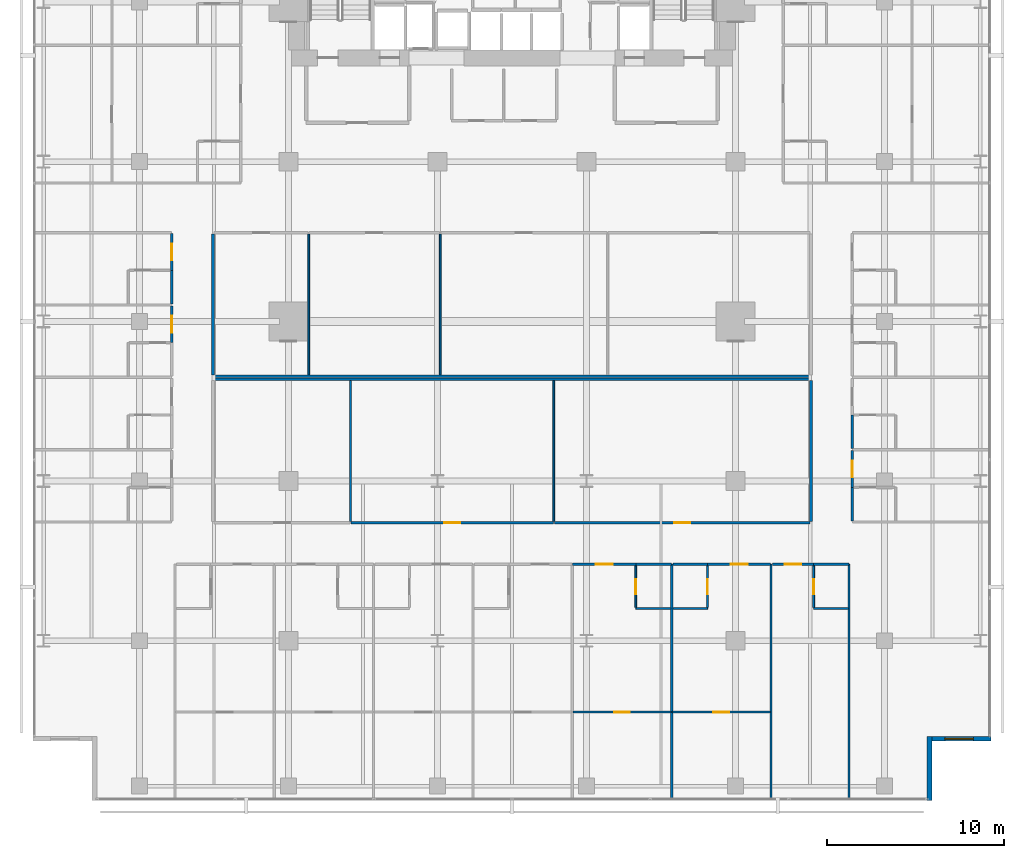
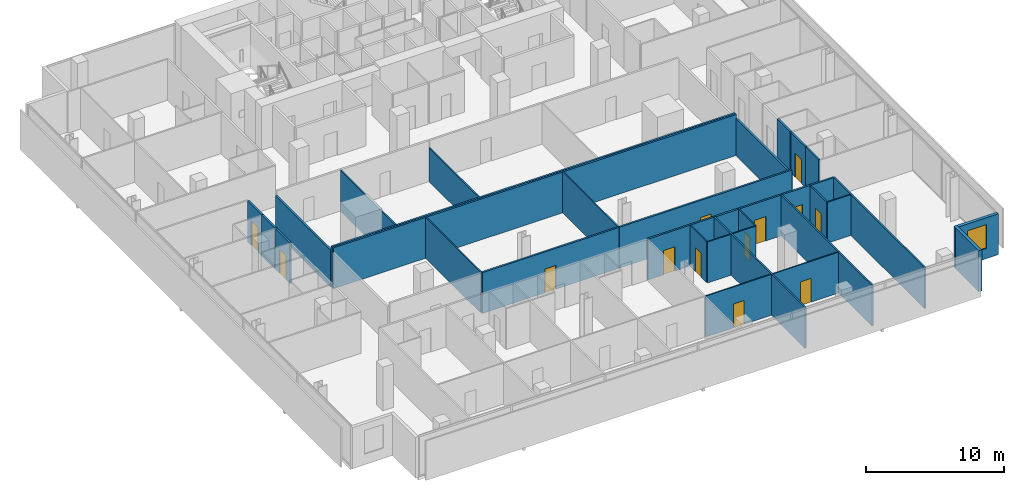
# One storey, part 34 of 41: 35 walls, 13 doors, 1 window, 14 openings.
"""IFC4 building model written with IfcOpenShell, lengths in metres."""

from ifc_helpers import new_model, si_unit, direction, frame, frame_2d, origin, place, context, subcontext, project, spatial, rectangle, extrude, material, layer, layer_set, type_object, element, fill, save


model = new_model("IFC4")

# Units and contexts
model_context = context("Model", 3, precision=1e-05, world=origin(), true_north=direction((0.0, 1.0)))
body_context = subcontext(model_context, "Body", "Model", "MODEL_VIEW")
ifc_project = project(units=[si_unit("LENGTHUNIT", "METRE"), si_unit("AREAUNIT", "SQUARE_METRE"), si_unit("VOLUMEUNIT", "CUBIC_METRE"), si_unit("PLANEANGLEUNIT", "RADIAN"), si_unit("MASSUNIT", "GRAM", prefix="KILO")], contexts=[model_context])

# Site, building, storey
site_placement = place(None, origin())
site = spatial("IfcSite", under=ifc_project, at=site_placement, CompositionType="ELEMENT")
building_placement = place(site_placement, origin())
building = spatial("IfcBuilding", under=site, at=building_placement, Name="Maruvema Waterfront Hotel and Observation Tower", CompositionType="ELEMENT")
storey_placement = place(building_placement, frame((0.0, 0.0, 61.60009765625)))
storey = spatial("IfcBuildingStorey", under=building, at=storey_placement, Name="L14", CompositionType="ELEMENT", Elevation=61.60009765625)

# Walls
ifc_material_1 = material(Name="Twin-stud acoustic gypsum drywall", Category="gypsum")
ifc_layer_1 = layer(ifc_material_1, 0.14990234375, Name="Acoustic Corridor and Suite Demising Wall 150 mm")
ifc_layer_set_1 = layer_set([ifc_layer_1], Name="Twin-stud acoustic gypsum drywall")
wall_type_1 = type_object("IfcWallType", Name="Acoustic Corridor and Suite Demising Wall 150 mm", PredefinedType="PARTITIONING", material=ifc_layer_set_1)
wall_1_placement = place(storey_placement, frame((20.949951171875, 23.89990234375, 0.0), z_axis=(0.0, 0.0, 1.0), x_axis=(1.0, 0.0, 0.0)))
element("IfcWall", 1, at=wall_1_placement, inside=storey, type_object=wall_type_1, Name="L14 L14-INTN Back Wall 022", PredefinedType="PARTITIONING", context=body_context, shape_type="SweptSolid", body=[
    extrude(rectangle(XDim=33.699951171875, YDim=0.14990234375, at=frame_2d((16.85009765625, 0.0))), origin(), (0.0, 0.0, 1.0), 3.60986328125),
])
wall_2_placement = place(storey_placement, frame((20.949951171875, 23.97998046875, 0.0), z_axis=(0.0, 0.0, 1.0), x_axis=(0.0, 1.0, 0.0)))
element("IfcWall", 2, at=wall_2_placement, inside=storey, type_object=wall_type_1, Name="L14 L14-INTN West Wall 023", PredefinedType="PARTITIONING", context=body_context, shape_type="SweptSolid", body=[
    extrude(rectangle(XDim=7.93994140625, YDim=0.14990234375, at=frame_2d((3.969970703125, 0.0))), origin(), (0.0, 0.0, 1.0), 3.2548828125),
])
wall_3_placement = place(storey_placement, frame((20.949951171875, 23.739990234375, 0.0), z_axis=(0.0, 0.0, 1.0), x_axis=(1.0, 0.0, 0.0)))
element("IfcWall", 3, at=wall_3_placement, inside=storey, type_object=wall_type_1, Name="L14 L14-INTS Back Wall 032", PredefinedType="PARTITIONING", context=body_context, shape_type="SweptSolid", body=[
    extrude(rectangle(XDim=33.699951171875, YDim=0.14990234375, at=frame_2d((16.85009765625, 0.0))), origin(), (0.0, 0.0, 1.0), 3.60986328125),
])
wall_4_placement = place(storey_placement, frame((54.64990234375, 15.72998046875, 0.0), z_axis=(0.0, 0.0, 1.0), x_axis=(0.0, 1.0, 0.0)))
element("IfcWall", 4, at=wall_4_placement, inside=storey, type_object=wall_type_1, Name="L14 L14-INTS East Wall 034", PredefinedType="PARTITIONING", context=body_context, shape_type="SweptSolid", body=[
    extrude(rectangle(XDim=7.929931640625, YDim=0.14990234375, at=frame_2d((3.96484375, 0.0))), origin(), (0.0, 0.0, 1.0), 3.2548828125),
])

# Wall, opening, door
wall_5_placement = place(storey_placement, frame((28.73095703125, 15.64990234375, 0.0), z_axis=(0.0, 0.0, 1.0), x_axis=(1.0, 0.0, 0.0)))
wall_5 = element("IfcWall", 5, at=wall_5_placement, inside=storey, type_object=wall_type_1, Name="L14 L14-INTS Front 2 037", PredefinedType="PARTITIONING", context=body_context, shape_type="SweptSolid", body=[
    extrude(rectangle(XDim=11.39794921875, YDim=0.14990234375, at=frame_2d((5.698974609375, 0.0))), origin(), (0.0, 0.0, 1.0), 3.60986328125),
])
opening_1_placement = place(wall_5_placement, frame((5.2490234375, 0.0, 0.0)))
opening_1 = element("IfcOpeningElement", 6, at=opening_1_placement, cuts=wall_5, Name="Opening DR-090", PredefinedType="OPENING", context=body_context, shape_type="SweptSolid", body=[
    extrude(rectangle(XDim=0.89990234375, YDim=2.10009765625, at=frame_2d((0.449951171875, 1.050048828125))), frame((0.0, 0.0849609375, 0.0), z_axis=(0.0, -1.0, 0.0), x_axis=(1.0, 0.0, 0.0)), (0.0, 0.0, 1.0), 0.169921875),
])
ifc_material_2 = material(Name="Solid-core lacquered timber leaf", Category="wood")
door_type_1 = type_object("IfcDoorType", Name="Accessible Toilet and Room Door 900x2100 mm", OperationType="NOTDEFINED", PredefinedType="DOOR", material=ifc_material_2)
door_1_placement = place(opening_1_placement, frame((0.89990234375, 0.0, 0.0), z_axis=(0.0, 0.0, 1.0), x_axis=(-1.0, 0.0, 0.0)))
door_1 = element("IfcDoor", 7, at=door_1_placement, inside=storey, type_object=door_type_1, Name="L14 Housekeeping Linen Room Door", OperationType="SINGLE_SWING_LEFT", OverallHeight=2.10009765625, OverallWidth=0.89990234375, PredefinedType="DOOR", context=body_context, shape_type="SweptSolid", body=[
    extrude(rectangle(XDim=0.89990234375, YDim=2.10009765625, at=frame_2d((0.449951171875, 1.050048828125))), frame((0.0, 0.02490234375, 0.0), z_axis=(0.0, -1.0, 0.0), x_axis=(1.0, 0.0, 0.0)), (0.0, 0.0, 1.0), 0.050048828125),
])
fill(opening_1, door_1)

wall_6_placement = place(storey_placement, frame((40.18896484375, 15.64990234375, 0.0), z_axis=(0.0, 0.0, 1.0), x_axis=(1.0, 0.0, 0.0)))
wall_6 = element("IfcWall", 8, at=wall_6_placement, inside=storey, type_object=wall_type_1, Name="L14 L14-INTS Front 3 039", PredefinedType="PARTITIONING", context=body_context, shape_type="SweptSolid", body=[
    extrude(rectangle(XDim=14.401123046875, YDim=0.14990234375, at=frame_2d((7.20068359375, 0.0))), origin(), (0.0, 0.0, 1.0), 3.60986328125),
])
opening_2_placement = place(wall_6_placement, frame((6.75048828125, 0.0, 0.0)))
opening_2 = element("IfcOpeningElement", 9, at=opening_2_placement, cuts=wall_6, Name="Opening DR-090", PredefinedType="OPENING", context=body_context, shape_type="SweptSolid", body=[
    extrude(rectangle(XDim=0.89990234375, YDim=2.10009765625, at=frame_2d((0.449951171875, 1.050048828125))), frame((0.0, 0.0849609375, 0.0), z_axis=(0.0, -1.0, 0.0), x_axis=(1.0, 0.0, 0.0)), (0.0, 0.0, 1.0), 0.169921875),
])
door_2_placement = place(opening_2_placement, frame((0.89990234375, 0.0, 0.0), z_axis=(0.0, 0.0, 1.0), x_axis=(-1.0, 0.0, 0.0)))
door_2 = element("IfcDoor", 10, at=door_2_placement, inside=storey, type_object=door_type_1, Name="L14 Concierge Salon Door", OperationType="SINGLE_SWING_RIGHT", OverallHeight=2.10009765625, OverallWidth=0.89990234375, PredefinedType="DOOR", context=body_context, shape_type="SweptSolid", body=[
    extrude(rectangle(XDim=0.89990234375, YDim=2.10009765625, at=frame_2d((0.449951171875, 1.050048828125))), frame((0.0, 0.02490234375, 0.0), z_axis=(0.0, -1.0, 0.0), x_axis=(1.0, 0.0, 0.0)), (0.0, 0.0, 1.0), 0.050048828125),
])
fill(opening_2, door_2)

# Wall
wall_7_placement = place(storey_placement, frame((44.780029296875, 13.320068359375, 0.0), z_axis=(0.0, 0.0, 1.0), x_axis=(1.0, 0.0, 0.0)))
element("IfcWall", 11, at=wall_7_placement, inside=storey, type_object=wall_type_1, Name="L14 Bath L14-S5 Back Wall 066", PredefinedType="PARTITIONING", context=body_context, shape_type="SweptSolid", body=[
    extrude(rectangle(XDim=2.0, YDim=0.14990234375, at=frame_2d((1.0, 0.0))), origin(), (0.0, 0.0, 1.0), 3.60986328125),
])

# Wall, opening, door
wall_8_placement = place(storey_placement, frame((41.219970703125, 13.320068359375, 0.0), z_axis=(0.0, 0.0, 1.0), x_axis=(1.0, 0.0, 0.0)))
wall_8 = element("IfcWall", 12, at=wall_8_placement, inside=storey, type_object=wall_type_1, Name="L14 Unit L14-S5 Corridor Wall 069", PredefinedType="PARTITIONING", context=body_context, shape_type="SweptSolid", body=[
    extrude(rectangle(XDim=3.56005859375, YDim=0.14990234375, at=frame_2d((1.780029296875, 0.0))), origin(), (0.0, 0.0, 1.0), 3.60986328125),
])
opening_3_placement = place(wall_8_placement, frame((1.304931640625, 0.0, 0.0)))
opening_3 = element("IfcOpeningElement", 13, at=opening_3_placement, cuts=wall_8, Name="Opening DR-095", PredefinedType="OPENING", context=body_context, shape_type="SweptSolid", body=[
    extrude(rectangle(XDim=0.949951171875, YDim=2.14990234375, at=frame_2d((0.47509765625, 1.074951171875))), frame((0.0, 0.0849609375, 0.0), z_axis=(0.0, -1.0, 0.0), x_axis=(1.0, 0.0, 0.0)), (0.0, 0.0, 1.0), 0.169921875),
])
ifc_material_3 = material(Name="Acoustic solid-core hardwood timber leaf", Category="wood")
door_type_2 = type_object("IfcDoorType", Name="Guestroom Entrance Fire Door 950x2150 mm", OperationType="NOTDEFINED", PredefinedType="DOOR", material=ifc_material_3)
door_3_placement = place(opening_3_placement, frame((0.949951171875, 0.0, 0.0), z_axis=(0.0, 0.0, 1.0), x_axis=(-1.0, 0.0, 0.0)))
door_3 = element("IfcDoor", 14, at=door_3_placement, inside=storey, type_object=door_type_2, Name="L14 Unit L14-S5 Entrance Door", OperationType="SINGLE_SWING_RIGHT", OverallHeight=2.14990234375, OverallWidth=0.949951171875, PredefinedType="DOOR", context=body_context, shape_type="SweptSolid", body=[
    extrude(rectangle(XDim=0.949951171875, YDim=2.14990234375, at=frame_2d((0.47509765625, 1.074951171875))), frame((0.0, 0.02490234375, 0.0), z_axis=(0.0, -1.0, 0.0), x_axis=(1.0, 0.0, 0.0)), (0.0, 0.0, 1.0), 0.050048828125),
])
fill(opening_3, door_3)

# Wall
wall_9_placement = place(storey_placement, frame((46.8798828125, 13.320068359375, 0.0), z_axis=(0.0, 0.0, 1.0), x_axis=(1.0, 0.0, 0.0)))
element("IfcWall", 15, at=wall_9_placement, inside=storey, type_object=wall_type_1, Name="L14 Bath L14-S6 Back Wall 072", PredefinedType="PARTITIONING", context=body_context, shape_type="SweptSolid", body=[
    extrude(rectangle(XDim=1.940185546875, YDim=0.14990234375, at=frame_2d((0.97021484375, 0.0))), origin(), (0.0, 0.0, 1.0), 3.60986328125),
])

# Wall, opening, door
wall_10_placement = place(storey_placement, frame((48.820068359375, 13.320068359375, 0.0), z_axis=(0.0, 0.0, 1.0), x_axis=(1.0, 0.0, 0.0)))
wall_10 = element("IfcWall", 16, at=wall_10_placement, inside=storey, type_object=wall_type_1, Name="L14 Unit L14-S6 Corridor Wall 075", PredefinedType="PARTITIONING", context=body_context, shape_type="SweptSolid", body=[
    extrude(rectangle(XDim=3.559814453125, YDim=0.14990234375, at=frame_2d((1.77978515625, 0.0))), origin(), (0.0, 0.0, 1.0), 3.60986328125),
])
opening_4_placement = place(wall_10_placement, frame((1.304931640625, 0.0, 0.0)))
opening_4 = element("IfcOpeningElement", 17, at=opening_4_placement, cuts=wall_10, Name="Opening DR-095", PredefinedType="OPENING", context=body_context, shape_type="SweptSolid", body=[
    extrude(rectangle(XDim=0.949951171875, YDim=2.14990234375, at=frame_2d((0.47509765625, 1.074951171875))), frame((0.0, 0.0849609375, 0.0), z_axis=(0.0, -1.0, 0.0), x_axis=(1.0, 0.0, 0.0)), (0.0, 0.0, 1.0), 0.169921875),
])
door_4_placement = place(opening_4_placement, frame((0.949951171875, 0.0, 0.0), z_axis=(0.0, 0.0, 1.0), x_axis=(-1.0, 0.0, 0.0)))
door_4 = element("IfcDoor", 18, at=door_4_placement, inside=storey, type_object=door_type_2, Name="L14 Unit L14-S6 Entrance Door", OperationType="SINGLE_SWING_LEFT", OverallHeight=2.14990234375, OverallWidth=0.949951171875, PredefinedType="DOOR", context=body_context, shape_type="SweptSolid", body=[
    extrude(rectangle(XDim=0.949951171875, YDim=2.14990234375, at=frame_2d((0.47509765625, 1.074951171875))), frame((0.0, 0.02490234375, 0.0), z_axis=(0.0, -1.0, 0.0), x_axis=(1.0, 0.0, 0.0)), (0.0, 0.0, 1.0), 0.050048828125),
])
fill(opening_4, door_4)

# Wall
wall_11_placement = place(storey_placement, frame((54.800048828125, 13.320068359375, 0.0), z_axis=(0.0, 0.0, 1.0), x_axis=(1.0, 0.0, 0.0)))
element("IfcWall", 19, at=wall_11_placement, inside=storey, type_object=wall_type_1, Name="L14 Bath L14-S7 Back Wall 078", PredefinedType="PARTITIONING", context=body_context, shape_type="SweptSolid", body=[
    extrude(rectangle(XDim=1.97998046875, YDim=0.14990234375, at=frame_2d((0.989990234375, 0.0))), origin(), (0.0, 0.0, 1.0), 3.60986328125),
])

# Wall, opening, door
wall_12_placement = place(storey_placement, frame((52.47998046875, 13.320068359375, 0.0), z_axis=(0.0, 0.0, 1.0), x_axis=(1.0, 0.0, 0.0)))
wall_12 = element("IfcWall", 20, at=wall_12_placement, inside=storey, type_object=wall_type_1, Name="L14 Unit L14-S7 Corridor Wall 081", PredefinedType="PARTITIONING", context=body_context, shape_type="SweptSolid", body=[
    extrude(rectangle(XDim=2.320068359375, YDim=0.14990234375, at=frame_2d((1.16015625, 0.0))), origin(), (0.0, 0.0, 1.0), 3.60986328125),
])
opening_5_placement = place(wall_12_placement, frame((0.68505859375, 0.0, 0.0)))
opening_5 = element("IfcOpeningElement", 21, at=opening_5_placement, cuts=wall_12, Name="Opening DR-095", PredefinedType="OPENING", context=body_context, shape_type="SweptSolid", body=[
    extrude(rectangle(XDim=0.949951171875, YDim=2.14990234375, at=frame_2d((0.47509765625, 1.074951171875))), frame((0.0, 0.0849609375, 0.0), z_axis=(0.0, -1.0, 0.0), x_axis=(1.0, 0.0, 0.0)), (0.0, 0.0, 1.0), 0.169921875),
])
door_5_placement = place(opening_5_placement, frame((0.949951171875, 0.0, 0.0), z_axis=(0.0, 0.0, 1.0), x_axis=(-1.0, 0.0, 0.0)))
door_5 = element("IfcDoor", 22, at=door_5_placement, inside=storey, type_object=door_type_2, Name="L14 Unit L14-S7 Entrance Door", OperationType="SINGLE_SWING_RIGHT", OverallHeight=2.14990234375, OverallWidth=0.949951171875, PredefinedType="DOOR", context=body_context, shape_type="SweptSolid", body=[
    extrude(rectangle(XDim=0.949951171875, YDim=2.14990234375, at=frame_2d((0.47509765625, 1.074951171875))), frame((0.0, 0.02490234375, 0.0), z_axis=(0.0, -1.0, 0.0), x_axis=(1.0, 0.0, 0.0)), (0.0, 0.0, 1.0), 0.050048828125),
])
fill(opening_5, door_5)

# Wall
wall_13_placement = place(storey_placement, frame((56.97998046875, 15.760009765625, 0.0), z_axis=(0.0, 0.0, 1.0), x_axis=(0.0, 1.0, 0.0)))
element("IfcWall", 23, at=wall_13_placement, inside=storey, type_object=wall_type_1, Name="L14 Bath L14-E1 Wall 090", PredefinedType="PARTITIONING", context=body_context, shape_type="SweptSolid", body=[
    extrude(rectangle(XDim=1.889892578125, YDim=0.14990234375, at=frame_2d((0.94482421875, 0.0))), origin(), (0.0, 0.0, 1.0), 3.60986328125),
])

# Wall, opening, door
wall_14_placement = place(storey_placement, frame((56.97998046875, 17.64990234375, 0.0), z_axis=(0.0, 0.0, 1.0), x_axis=(0.0, 1.0, 0.0)))
wall_14 = element("IfcWall", 24, at=wall_14_placement, inside=storey, type_object=wall_type_1, Name="L14 Room L14-E1 Corridor Wall 091", PredefinedType="PARTITIONING", context=body_context, shape_type="SweptSolid", body=[
    extrude(rectangle(XDim=2.06005859375, YDim=0.14990234375, at=frame_2d((1.030029296875, 0.0))), origin(), (0.0, 0.0, 1.0), 3.60986328125),
])
opening_6_placement = place(wall_14_placement, frame((0.554931640625, 0.0, 0.0)))
opening_6 = element("IfcOpeningElement", 25, at=opening_6_placement, cuts=wall_14, Name="Opening DR-095", PredefinedType="OPENING", context=body_context, shape_type="SweptSolid", body=[
    extrude(rectangle(XDim=0.949951171875, YDim=2.14990234375, at=frame_2d((0.47509765625, 1.074951171875))), frame((0.0, 0.0849609375, 0.0), z_axis=(0.0, -1.0, 0.0), x_axis=(1.0, 0.0, 0.0)), (0.0, 0.0, 1.0), 0.169921875),
])
door_6_placement = place(opening_6_placement, frame((0.949951171875, 0.0, 0.0), z_axis=(0.0, 0.0, 1.0), x_axis=(-1.0, 0.0, 0.0)))
door_6 = element("IfcDoor", 26, at=door_6_placement, inside=storey, type_object=door_type_2, Name="L14 Room L14-E1 Entrance Door", OperationType="SINGLE_SWING_RIGHT", OverallHeight=2.14990234375, OverallWidth=0.949951171875, PredefinedType="DOOR", context=body_context, shape_type="SweptSolid", body=[
    extrude(rectangle(XDim=0.949951171875, YDim=2.14990234375, at=frame_2d((0.47509765625, 1.074951171875))), frame((0.0, 0.02490234375, 0.0), z_axis=(0.0, -1.0, 0.0), x_axis=(1.0, 0.0, 0.0)), (0.0, 0.0, 1.0), 0.050048828125),
])
fill(opening_6, door_6)

# Wall
wall_15_placement = place(storey_placement, frame((56.97998046875, 19.830078125, 0.0), z_axis=(0.0, 0.0, 1.0), x_axis=(0.0, 1.0, 0.0)))
element("IfcWall", 27, at=wall_15_placement, inside=storey, type_object=wall_type_1, Name="L14 Bath L14-E2 Wall 100", PredefinedType="PARTITIONING", context=body_context, shape_type="SweptSolid", body=[
    extrude(rectangle(XDim=1.889892578125, YDim=0.14990234375, at=frame_2d((0.94482421875, 0.0))), origin(), (0.0, 0.0, 1.0), 3.60986328125),
])

# Wall, opening, door
wall_16_placement = place(storey_placement, frame((18.6201171875, 25.800048828125, 0.0), z_axis=(0.0, 0.0, 1.0), x_axis=(0.0, 1.0, 0.0)))
wall_16 = element("IfcWall", 28, at=wall_16_placement, inside=storey, type_object=wall_type_1, Name="L14 Room L14-W3 Corridor Wall 107", PredefinedType="PARTITIONING", context=body_context, shape_type="SweptSolid", body=[
    extrude(rectangle(XDim=2.070068359375, YDim=0.14990234375, at=frame_2d((1.03515625, 0.0))), origin(), (0.0, 0.0, 1.0), 3.60986328125),
])
opening_7_placement = place(wall_16_placement, frame((0.56005859375, 0.0, 0.0)))
opening_7 = element("IfcOpeningElement", 29, at=opening_7_placement, cuts=wall_16, Name="Opening DR-095", PredefinedType="OPENING", context=body_context, shape_type="SweptSolid", body=[
    extrude(rectangle(XDim=0.949951171875, YDim=2.14990234375, at=frame_2d((0.47509765625, 1.074951171875))), frame((0.0, 0.0849609375, 0.0), z_axis=(0.0, -1.0, 0.0), x_axis=(1.0, 0.0, 0.0)), (0.0, 0.0, 1.0), 0.169921875),
])
door_7_placement = place(opening_7_placement, origin())
door_7 = element("IfcDoor", 30, at=door_7_placement, inside=storey, type_object=door_type_2, Name="L14 Room L14-W3 Entrance Door", OperationType="SINGLE_SWING_RIGHT", OverallHeight=2.14990234375, OverallWidth=0.949951171875, PredefinedType="DOOR", context=body_context, shape_type="SweptSolid", body=[
    extrude(rectangle(XDim=0.949951171875, YDim=2.14990234375, at=frame_2d((0.47509765625, 1.074951171875))), frame((0.0, 0.02490234375, 0.0), z_axis=(0.0, -1.0, 0.0), x_axis=(1.0, 0.0, 0.0)), (0.0, 0.0, 1.0), 0.050048828125),
])
fill(opening_7, door_7)

# Wall
wall_17_placement = place(storey_placement, frame((18.6201171875, 27.989990234375, 0.0), z_axis=(0.0, 0.0, 1.0), x_axis=(0.0, 1.0, 0.0)))
element("IfcWall", 31, at=wall_17_placement, inside=storey, type_object=wall_type_1, Name="L14 Bath L14-W4 Wall 116", PredefinedType="PARTITIONING", context=body_context, shape_type="SweptSolid", body=[
    extrude(rectangle(XDim=1.889892578125, YDim=0.14990234375, at=frame_2d((0.94482421875, 0.0))), origin(), (0.0, 0.0, 1.0), 3.60986328125),
])

# Wall, opening, door
wall_18_placement = place(storey_placement, frame((18.6201171875, 29.8798828125, 0.0), z_axis=(0.0, 0.0, 1.0), x_axis=(0.0, 1.0, 0.0)))
wall_18 = element("IfcWall", 32, at=wall_18_placement, inside=storey, type_object=wall_type_1, Name="L14 Room L14-W4 Corridor Wall 117", PredefinedType="PARTITIONING", context=body_context, shape_type="SweptSolid", body=[
    extrude(rectangle(XDim=2.06005859375, YDim=0.14990234375, at=frame_2d((1.030029296875, 0.0))), origin(), (0.0, 0.0, 1.0), 3.60986328125),
])
opening_8_placement = place(wall_18_placement, frame((0.554931640625, 0.0, 0.0)))
opening_8 = element("IfcOpeningElement", 33, at=opening_8_placement, cuts=wall_18, Name="Opening DR-095", PredefinedType="OPENING", context=body_context, shape_type="SweptSolid", body=[
    extrude(rectangle(XDim=0.949951171875, YDim=2.14990234375, at=frame_2d((0.47509765625, 1.074951171875))), frame((0.0, 0.0849609375, 0.0), z_axis=(0.0, -1.0, 0.0), x_axis=(1.0, 0.0, 0.0)), (0.0, 0.0, 1.0), 0.169921875),
])
door_8_placement = place(opening_8_placement, origin())
door_8 = element("IfcDoor", 34, at=door_8_placement, inside=storey, type_object=door_type_2, Name="L14 Room L14-W4 Entrance Door", OperationType="SINGLE_SWING_RIGHT", OverallHeight=2.14990234375, OverallWidth=0.949951171875, PredefinedType="DOOR", context=body_context, shape_type="SweptSolid", body=[
    extrude(rectangle(XDim=0.949951171875, YDim=2.14990234375, at=frame_2d((0.47509765625, 1.074951171875))), frame((0.0, 0.02490234375, 0.0), z_axis=(0.0, -1.0, 0.0), x_axis=(1.0, 0.0, 0.0)), (0.0, 0.0, 1.0), 0.050048828125),
])
fill(opening_8, door_8)

# Walls
ifc_material_4 = material(Name="Moisture-resistant cement-board drywall", Category="gypsum")
ifc_layer_2 = layer(ifc_material_4, 0.10009765625, Name="En-Suite Moisture-Resistant Partition 100 mm")
ifc_layer_set_2 = layer_set([ifc_layer_2], Name="Moisture-resistant cement-board drywall")
wall_type_2 = type_object("IfcWallType", Name="En-Suite Moisture-Resistant Partition 100 mm", PredefinedType="PARTITIONING", material=ifc_layer_set_2)
wall_19_placement = place(storey_placement, frame((26.342041015625, 23.97998046875, 0.0), z_axis=(0.0, 0.0, 1.0), x_axis=(0.0, 1.0, 0.0)))
element("IfcWall", 35, at=wall_19_placement, inside=storey, type_object=wall_type_2, Name="L14 L14-INTN Split 1 026", PredefinedType="PARTITIONING", context=body_context, shape_type="SweptSolid", body=[
    extrude(rectangle(XDim=7.93994140625, YDim=0.10009765625, at=frame_2d((3.969970703125, 0.0))), origin(), (0.0, 0.0, 1.0), 3.60986328125),
])
wall_20_placement = place(storey_placement, frame((33.756103515625, 23.97998046875, 0.0), z_axis=(0.0, 0.0, 1.0), x_axis=(0.0, 1.0, 0.0)))
element("IfcWall", 36, at=wall_20_placement, inside=storey, type_object=wall_type_2, Name="L14 L14-INTN Split 2 028", PredefinedType="PARTITIONING", context=body_context, shape_type="SweptSolid", body=[
    extrude(rectangle(XDim=7.93994140625, YDim=0.10009765625, at=frame_2d((3.969970703125, 0.0))), origin(), (0.0, 0.0, 1.0), 2.98779296875),
])
for number, where, z_axis, x_axis, name in (
    (37, (28.700927734375, 15.72998046875, 0.0), (0.0, 0.0, 1.0), (0.0, 1.0, 0.0), "L14 L14-INTS Split 1 036"),
    (38, (40.158935546875, 15.72998046875, 0.0), (0.0, 0.0, 1.0), (0.0, 1.0, 0.0), "L14 L14-INTS Split 2 038"),
):
    element("IfcWall", number, at=place(storey_placement, frame(where, z_axis=z_axis, x_axis=x_axis)), inside=storey, type_object=wall_type_2, Name=name, PredefinedType="PARTITIONING", context=body_context, shape_type="SweptSolid", body=[
        extrude(rectangle(XDim=7.929931640625, YDim=0.10009765625, at=frame_2d((3.96484375, 0.0))), origin(), (0.0, 0.0, 1.0), 3.60986328125),
    ])
wall_21_placement = place(storey_placement, frame((44.780029296875, 10.820068359375, 0.0), z_axis=(0.0, 0.0, 1.0), x_axis=(1.0, 0.0, 0.0)))
element("IfcWall", 39, at=wall_21_placement, inside=storey, type_object=wall_type_2, Name="L14 En-Suite L14-S5 South 067", PredefinedType="PARTITIONING", context=body_context, shape_type="SweptSolid", body=[
    extrude(rectangle(XDim=1.97998046875, YDim=0.10009765625, at=frame_2d((0.989990234375, 0.0))), origin(), (0.0, 0.0, 1.0), 3.60986328125),
])

# Wall, opening, door
wall_22_placement = place(storey_placement, frame((44.780029296875, 10.8798828125, 0.0), z_axis=(0.0, 0.0, 1.0), x_axis=(0.0, 1.0, 0.0)))
wall_22 = element("IfcWall", 40, at=wall_22_placement, inside=storey, type_object=wall_type_2, Name="L14 En-Suite L14-S5 West 068", PredefinedType="PARTITIONING", context=body_context, shape_type="SweptSolid", body=[
    extrude(rectangle(XDim=2.340087890625, YDim=0.10009765625, at=frame_2d((1.169921875, 0.0))), origin(), (0.0, 0.0, 1.0), 3.60986328125),
])
opening_9_placement = place(wall_22_placement, frame((0.7451171875, 0.0, 0.0)))
opening_9 = element("IfcOpeningElement", 41, at=opening_9_placement, cuts=wall_22, Name="Opening DR-085", PredefinedType="OPENING", context=body_context, shape_type="SweptSolid", body=[
    extrude(rectangle(XDim=0.85009765625, YDim=2.10009765625, at=frame_2d((0.425048828125, 1.050048828125))), frame((0.0, 0.06005859375, 0.0), z_axis=(0.0, -1.0, 0.0), x_axis=(1.0, 0.0, 0.0)), (0.0, 0.0, 1.0), 0.1201171875),
])
ifc_material_5 = material(Name="Moisture-resistant solid timber leaf", Category="wood")
door_type_3 = type_object("IfcDoorType", Name="En-Suite Bathroom Door 850x2100 mm", OperationType="NOTDEFINED", PredefinedType="DOOR", material=ifc_material_5)
door_9_placement = place(opening_9_placement, origin())
door_9 = element("IfcDoor", 42, at=door_9_placement, inside=storey, type_object=door_type_3, Name="L14 En-Suite L14-S5 Door", OperationType="SINGLE_SWING_LEFT", OverallHeight=2.10009765625, OverallWidth=0.85009765625, PredefinedType="DOOR", context=body_context, shape_type="SweptSolid", body=[
    extrude(rectangle(XDim=0.85009765625, YDim=2.10009765625, at=frame_2d((0.425048828125, 1.050048828125))), frame((0.0, 0.02490234375, 0.0), z_axis=(0.0, -1.0, 0.0), x_axis=(1.0, 0.0, 0.0)), (0.0, 0.0, 1.0), 0.050048828125),
])
fill(opening_9, door_9)

wall_23_placement = place(storey_placement, frame((41.239990234375, 4.977294921875, 0.0), z_axis=(0.0, 0.0, 1.0), x_axis=(1.0, 0.0, 0.0)))
wall_23 = element("IfcWall", 43, at=wall_23_placement, inside=storey, type_object=wall_type_2, Name="L14 Suite L14-S5 Split 070", PredefinedType="PARTITIONING", context=body_context, shape_type="SweptSolid", body=[
    extrude(rectangle(XDim=5.52001953125, YDim=0.10009765625, at=frame_2d((2.760009765625, 0.0))), origin(), (0.0, 0.0, 1.0), 3.60986328125),
])
opening_10_placement = place(wall_23_placement, frame((2.31005859375, 0.0, 0.0)))
opening_10 = element("IfcOpeningElement", 44, at=opening_10_placement, cuts=wall_23, Name="Opening DR-090", PredefinedType="OPENING", context=body_context, shape_type="SweptSolid", body=[
    extrude(rectangle(XDim=0.89990234375, YDim=2.10009765625, at=frame_2d((0.449951171875, 1.050048828125))), frame((0.0, 0.06005859375, 0.0), z_axis=(0.0, -1.0, 0.0), x_axis=(1.0, 0.0, 0.0)), (0.0, 0.0, 1.0), 0.1201171875),
])
door_10_placement = place(opening_10_placement, frame((0.89990234375, 0.0, 0.0), z_axis=(0.0, 0.0, 1.0), x_axis=(-1.0, 0.0, 0.0)))
door_10 = element("IfcDoor", 45, at=door_10_placement, inside=storey, type_object=door_type_1, Name="L14 Suite L14-S5 Bedroom Door", OperationType="SINGLE_SWING_LEFT", OverallHeight=2.10009765625, OverallWidth=0.89990234375, PredefinedType="DOOR", context=body_context, shape_type="SweptSolid", body=[
    extrude(rectangle(XDim=0.89990234375, YDim=2.10009765625, at=frame_2d((0.449951171875, 1.050048828125))), frame((0.0, 0.02490234375, 0.0), z_axis=(0.0, -1.0, 0.0), x_axis=(1.0, 0.0, 0.0)), (0.0, 0.0, 1.0), 0.050048828125),
])
fill(opening_10, door_10)

# Wall
wall_24_placement = place(storey_placement, frame((46.8798828125, 10.820068359375, 0.0), z_axis=(0.0, 0.0, 1.0), x_axis=(1.0, 0.0, 0.0)))
element("IfcWall", 46, at=wall_24_placement, inside=storey, type_object=wall_type_2, Name="L14 En-Suite L14-S6 South 073", PredefinedType="PARTITIONING", context=body_context, shape_type="SweptSolid", body=[
    extrude(rectangle(XDim=1.940185546875, YDim=0.10009765625, at=frame_2d((0.97021484375, 0.0))), origin(), (0.0, 0.0, 1.0), 3.60986328125),
])

# Wall, opening, door
wall_25_placement = place(storey_placement, frame((48.820068359375, 10.8798828125, 0.0), z_axis=(0.0, 0.0, 1.0), x_axis=(0.0, 1.0, 0.0)))
wall_25 = element("IfcWall", 47, at=wall_25_placement, inside=storey, type_object=wall_type_2, Name="L14 En-Suite L14-S6 East 074", PredefinedType="PARTITIONING", context=body_context, shape_type="SweptSolid", body=[
    extrude(rectangle(XDim=2.340087890625, YDim=0.10009765625, at=frame_2d((1.169921875, 0.0))), origin(), (0.0, 0.0, 1.0), 3.60986328125),
])
opening_11_placement = place(wall_25_placement, frame((0.7451171875, 0.0, 0.0)))
opening_11 = element("IfcOpeningElement", 48, at=opening_11_placement, cuts=wall_25, Name="Opening DR-085", PredefinedType="OPENING", context=body_context, shape_type="SweptSolid", body=[
    extrude(rectangle(XDim=0.85009765625, YDim=2.10009765625, at=frame_2d((0.425048828125, 1.050048828125))), frame((0.0, 0.06005859375, 0.0), z_axis=(0.0, -1.0, 0.0), x_axis=(1.0, 0.0, 0.0)), (0.0, 0.0, 1.0), 0.1201171875),
])
door_11_placement = place(opening_11_placement, frame((0.85009765625, 0.0, 0.0), z_axis=(0.0, 0.0, 1.0), x_axis=(-1.0, 0.0, 0.0)))
door_11 = element("IfcDoor", 49, at=door_11_placement, inside=storey, type_object=door_type_3, Name="L14 En-Suite L14-S6 Door", OperationType="SINGLE_SWING_RIGHT", OverallHeight=2.10009765625, OverallWidth=0.85009765625, PredefinedType="DOOR", context=body_context, shape_type="SweptSolid", body=[
    extrude(rectangle(XDim=0.85009765625, YDim=2.10009765625, at=frame_2d((0.425048828125, 1.050048828125))), frame((0.0, 0.02490234375, 0.0), z_axis=(0.0, -1.0, 0.0), x_axis=(1.0, 0.0, 0.0)), (0.0, 0.0, 1.0), 0.050048828125),
])
fill(opening_11, door_11)

wall_26_placement = place(storey_placement, frame((46.840087890625, 4.977294921875, 0.0), z_axis=(0.0, 0.0, 1.0), x_axis=(1.0, 0.0, 0.0)))
wall_26 = element("IfcWall", 50, at=wall_26_placement, inside=storey, type_object=wall_type_2, Name="L14 Suite L14-S6 Split 076", PredefinedType="PARTITIONING", context=body_context, shape_type="SweptSolid", body=[
    extrude(rectangle(XDim=5.52001953125, YDim=0.10009765625, at=frame_2d((2.760009765625, 0.0))), origin(), (0.0, 0.0, 1.0), 3.60986328125),
])
opening_12_placement = place(wall_26_placement, frame((2.31005859375, 0.0, 0.0)))
opening_12 = element("IfcOpeningElement", 51, at=opening_12_placement, cuts=wall_26, Name="Opening DR-090", PredefinedType="OPENING", context=body_context, shape_type="SweptSolid", body=[
    extrude(rectangle(XDim=0.89990234375, YDim=2.10009765625, at=frame_2d((0.449951171875, 1.050048828125))), frame((0.0, 0.06005859375, 0.0), z_axis=(0.0, -1.0, 0.0), x_axis=(1.0, 0.0, 0.0)), (0.0, 0.0, 1.0), 0.1201171875),
])
door_12_placement = place(opening_12_placement, frame((0.89990234375, 0.0, 0.0), z_axis=(0.0, 0.0, 1.0), x_axis=(-1.0, 0.0, 0.0)))
door_12 = element("IfcDoor", 52, at=door_12_placement, inside=storey, type_object=door_type_1, Name="L14 Suite L14-S6 Bedroom Door", OperationType="SINGLE_SWING_RIGHT", OverallHeight=2.10009765625, OverallWidth=0.89990234375, PredefinedType="DOOR", context=body_context, shape_type="SweptSolid", body=[
    extrude(rectangle(XDim=0.89990234375, YDim=2.10009765625, at=frame_2d((0.449951171875, 1.050048828125))), frame((0.0, 0.02490234375, 0.0), z_axis=(0.0, -1.0, 0.0), x_axis=(1.0, 0.0, 0.0)), (0.0, 0.0, 1.0), 0.050048828125),
])
fill(opening_12, door_12)

# Wall
wall_27_placement = place(storey_placement, frame((54.800048828125, 10.820068359375, 0.0), z_axis=(0.0, 0.0, 1.0), x_axis=(1.0, 0.0, 0.0)))
element("IfcWall", 53, at=wall_27_placement, inside=storey, type_object=wall_type_2, Name="L14 En-Suite L14-S7 South 079", PredefinedType="PARTITIONING", context=body_context, shape_type="SweptSolid", body=[
    extrude(rectangle(XDim=1.9599609375, YDim=0.10009765625, at=frame_2d((0.97998046875, 0.0))), origin(), (0.0, 0.0, 1.0), 3.60986328125),
])

# Wall, opening, door
wall_28_placement = place(storey_placement, frame((54.800048828125, 10.8798828125, 0.0), z_axis=(0.0, 0.0, 1.0), x_axis=(0.0, 1.0, 0.0)))
wall_28 = element("IfcWall", 54, at=wall_28_placement, inside=storey, type_object=wall_type_2, Name="L14 En-Suite L14-S7 West 080", PredefinedType="PARTITIONING", context=body_context, shape_type="SweptSolid", body=[
    extrude(rectangle(XDim=2.340087890625, YDim=0.10009765625, at=frame_2d((1.169921875, 0.0))), origin(), (0.0, 0.0, 1.0), 3.60986328125),
])
opening_13_placement = place(wall_28_placement, frame((0.7451171875, 0.0, 0.0)))
opening_13 = element("IfcOpeningElement", 55, at=opening_13_placement, cuts=wall_28, Name="Opening DR-085", PredefinedType="OPENING", context=body_context, shape_type="SweptSolid", body=[
    extrude(rectangle(XDim=0.85009765625, YDim=2.10009765625, at=frame_2d((0.425048828125, 1.050048828125))), frame((0.0, 0.06005859375, 0.0), z_axis=(0.0, -1.0, 0.0), x_axis=(1.0, 0.0, 0.0)), (0.0, 0.0, 1.0), 0.1201171875),
])
door_13_placement = place(opening_13_placement, origin())
door_13 = element("IfcDoor", 56, at=door_13_placement, inside=storey, type_object=door_type_3, Name="L14 En-Suite L14-S7 Door", OperationType="SINGLE_SWING_LEFT", OverallHeight=2.10009765625, OverallWidth=0.85009765625, PredefinedType="DOOR", context=body_context, shape_type="SweptSolid", body=[
    extrude(rectangle(XDim=0.85009765625, YDim=2.10009765625, at=frame_2d((0.425048828125, 1.050048828125))), frame((0.0, 0.02490234375, 0.0), z_axis=(0.0, -1.0, 0.0), x_axis=(1.0, 0.0, 0.0)), (0.0, 0.0, 1.0), 0.050048828125),
])
fill(opening_13, door_13)

# Wall
ifc_material_6 = material(Name="Precast concrete C45/55 with honed Pernambuco granite facing", Category="masonry")
ifc_layer_3 = layer(ifc_material_6, 0.260009765625, Name="Exterior Granite Clad Spandrel and Pier Wall 260 mm")
ifc_layer_set_3 = layer_set([ifc_layer_3], Name="Precast concrete C45/55 with honed Pernambuco granite facing")
wall_type_3 = type_object("IfcWallType", Name="Exterior Granite Clad Spandrel and Pier Wall 260 mm", PredefinedType="SOLIDWALL", material=ifc_layer_set_3)
wall_29_placement = place(storey_placement, frame((61.330078125, 3.60009765625, 0.0), z_axis=(0.0, 0.0, 1.0), x_axis=(0.0, -1.0, 0.0)))
element("IfcWall", 57, at=wall_29_placement, inside=storey, type_object=wall_type_3, Name="L14 Corner Notch Granite Pier Wall SE1", PredefinedType="SOLIDWALL", context=body_context, shape_type="SweptSolid", body=[
    extrude(rectangle(XDim=3.60009765625, YDim=0.260009765625, at=frame_2d((1.800048828125, 0.0))), origin(), (0.0, 0.0, 1.0), 3.60986328125),
])

# Wall, opening, window
wall_30_placement = place(storey_placement, frame((64.800048828125, 3.469970703125, 0.0), z_axis=(0.0, 0.0, 1.0), x_axis=(-1.0, 0.0, 0.0)))
wall_30 = element("IfcWall", 58, at=wall_30_placement, inside=storey, type_object=wall_type_3, Name="L14 Corner Notch Granite Pier Wall SE2", PredefinedType="SOLIDWALL", context=body_context, shape_type="SweptSolid", body=[
    extrude(rectangle(XDim=3.60009765625, YDim=0.260009765625, at=frame_2d((1.800048828125, 0.0))), origin(), (0.0, 0.0, 1.0), 3.60986328125),
])
opening_14_placement = place(wall_30_placement, frame((1.0, 0.0, 0.89990234375)))
opening_14 = element("IfcOpeningElement", 59, at=opening_14_placement, cuts=wall_30, Name="Opening WN-01", PredefinedType="OPENING", context=body_context, shape_type="SweptSolid", body=[
    extrude(rectangle(XDim=1.60009765625, YDim=2.10009765625, at=frame_2d((0.800048828125, 1.050048828125))), frame((0.0, 0.14013671875, 0.0), z_axis=(0.0, -1.0, 0.0), x_axis=(1.0, 0.0, 0.0)), (0.0, 0.0, 1.0), 0.280029296875),
])
ifc_material_7 = material(Name="Anodised bronze aluminium frame with laminated low-E glass", Category="aluminium")
window_type = type_object("IfcWindowType", Name="Corner Notch Feature Window 1600x2100 mm", PartitioningType="SINGLE_PANEL", PredefinedType="WINDOW", material=ifc_material_7)
window_placement = place(opening_14_placement, origin())
window = element("IfcWindow", 60, at=window_placement, inside=storey, type_object=window_type, Name="L14 Corner Notch Punched Window SE2", OverallHeight=2.10009765625, OverallWidth=1.60009765625, PartitioningType="SINGLE_PANEL", PredefinedType="WINDOW", context=body_context, shape_type="SweptSolid", body=[
    extrude(rectangle(XDim=1.60009765625, YDim=2.10009765625, at=frame_2d((0.800048828125, 1.050048828125))), frame((0.0, 0.030029296875, 0.0), z_axis=(0.0, -1.0, 0.0), x_axis=(1.0, 0.0, 0.0)), (0.0, 0.0, 1.0), 0.06005859375),
])
fill(opening_14, window)

# Walls
ifc_material_8 = material(Name="Acoustic gypsum plasterboard drywall", Category="gypsum")
ifc_layer_4 = layer(ifc_material_8, 0.125, Name="Guestroom Acoustic Demising Wall 125 mm")
ifc_layer_set_4 = layer_set([ifc_layer_4], Name="Acoustic gypsum plasterboard drywall")
wall_type_4 = type_object("IfcWallType", Name="Guestroom Acoustic Demising Wall 125 mm", PredefinedType="PARTITIONING", material=ifc_layer_set_4)
for number, where, z_axis, x_axis, name in (
    (61, (56.800048828125, 0.10009765625, 0.0), (0.0, 0.0, 1.0), (0.0, 1.0, 0.0), "L14 S East End 041"),
    (62, (46.800048828125, 0.10009765625, 0.0), (0.0, 0.0, 1.0), (0.0, 1.0, 0.0), "L14 S Demising 6 071"),
    (63, (52.39990234375, 0.10009765625, 0.0), (0.0, 0.0, 1.0), (0.0, 1.0, 0.0), "L14 S Demising 7 077"),
):
    element("IfcWall", number, at=place(storey_placement, frame(where, z_axis=z_axis, x_axis=x_axis)), inside=storey, type_object=wall_type_4, Name=name, PredefinedType="PARTITIONING", context=body_context, shape_type="SweptSolid", body=[
        extrude(rectangle(XDim=13.219970703125, YDim=0.125, at=frame_2d((6.60986328125, 0.0))), origin(), (0.0, 0.0, 1.0), 3.60986328125),
    ])

save(model, "model.ifc")
